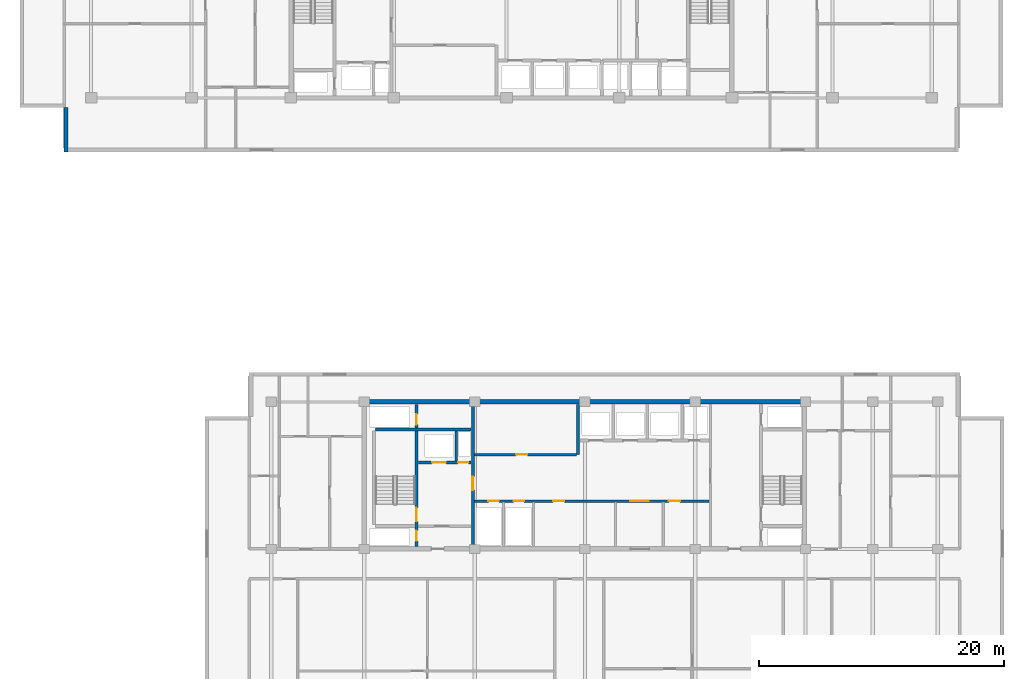
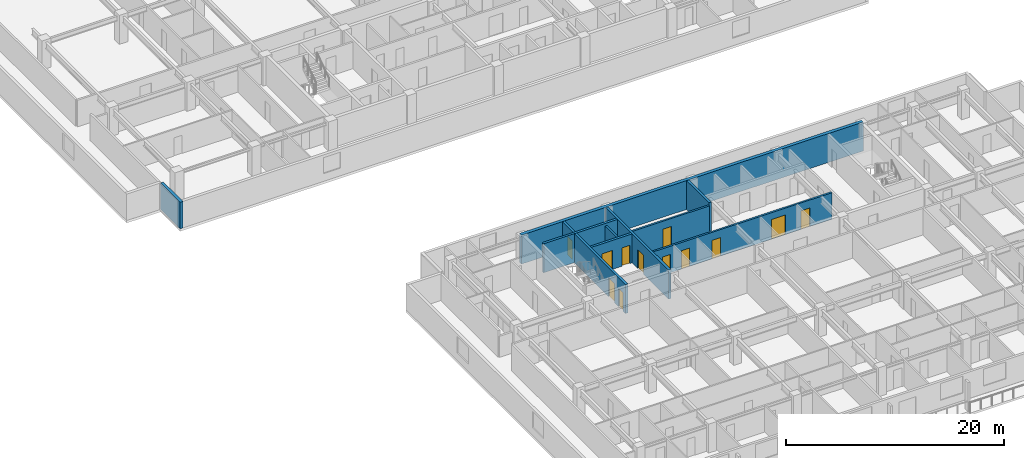
# One storey, part 7 of 22: 12 doors, 10 walls, 12 openings.
"""IFC4 building model written with IfcOpenShell, lengths in metres."""

import ifcopenshell
import ifcopenshell.guid

model = None  # the IFC model being written
_history = None  # IfcOwnerHistory: only IFC2X3 demands one
_inside = {}  # id of a spatial element -> (the spatial element, [elements in it])
_under = {}  # id of a project, library or spatial element -> (it, [spatial elements below it])
_declared = {}  # id of a project -> (the project, [libraries it declares])
_typed = {}  # id of a type object -> (the type object, [elements of that type])
_made_of = {}  # id of a material, layer set ... -> (it, [elements and type objects made of it])


def new_model(schema):
    """Start an empty IFC model of exactly this schema.

    Asked for "IFC4X3", IfcOpenShell would pick the latest addendum, in which some entities
    have other attributes; the version numbers below select the first issue.
    IFC2X3 requires an IfcOwnerHistory on every rooted entity: one is made here for all.
    """
    global model, _history
    if schema == "IFC4X3":
        model = ifcopenshell.file(schema_version=(4, 3, 0, 0))
    else:
        model = ifcopenshell.file(schema=schema)
    _inside.clear()
    _under.clear()
    _declared.clear()
    _typed.clear()
    _made_of.clear()
    _history = None
    if model.schema == "IFC2X3":
        org = make("IfcOrganization", Name="unknown")
        user = make(
            "IfcPersonAndOrganization",
            ThePerson=make("IfcPerson", FamilyName="unknown"),
            TheOrganization=org,
        )
        app = make(
            "IfcApplication",
            ApplicationDeveloper=org,
            Version="unknown",
            ApplicationFullName="unknown",
            ApplicationIdentifier="unknown",
        )
        _history = make(
            "IfcOwnerHistory",
            OwningUser=user,
            OwningApplication=app,
            ChangeAction="ADDED",
            CreationDate=0,
        )
    return model


def make(cls, **values):
    """One entity of the class cls with the attributes given. An attribute that is None is left unset."""
    return model.create_entity(
        cls, **{name: value for name, value in values.items() if value is not None}
    )


def rooted(cls, **values):
    """An entity with a GlobalId (a new one), such as an element, a storey or a relation."""
    return make(cls, GlobalId=ifcopenshell.guid.new(), OwnerHistory=_history, **values)


def si_unit(unit_type, name, prefix=None):
    """IfcSIUnit, for example si_unit("LENGTHUNIT", "METRE", prefix="MILLI")."""
    return make("IfcSIUnit", UnitType=unit_type, Prefix=prefix, Name=name)


def assignment(units):
    """IfcUnitAssignment: the units of a project."""
    return None if units is None else make("IfcUnitAssignment", Units=units)


def point(xyz):
    """IfcCartesianPoint."""
    return None if xyz is None else make("IfcCartesianPoint", Coordinates=xyz)


def direction(xyz):
    """IfcDirection."""
    return None if xyz is None else make("IfcDirection", DirectionRatios=xyz)


def frame(location, z_axis=None, x_axis=None):
    """IfcAxis2Placement3D, a coordinate frame: its origin and axes. An axis left out is left unset."""
    return make(
        "IfcAxis2Placement3D",
        Location=point(location),
        Axis=direction(z_axis),
        RefDirection=direction(x_axis),
    )


def frame_2d(location, x_axis=None):
    """IfcAxis2Placement2D, a coordinate frame in the plane: its origin and x axis."""
    return make(
        "IfcAxis2Placement2D", Location=point(location), RefDirection=direction(x_axis)
    )


def origin():
    """The frame at (0, 0, 0) with its axes left unset."""
    return frame((0.0, 0.0, 0.0))


def place(relative_to, where):
    """IfcLocalPlacement: puts the frame where relative to a parent placement (None: the world)."""
    return make(
        "IfcLocalPlacement", PlacementRelTo=relative_to, RelativePlacement=where
    )


def context(
    kind, dimensions, precision=None, world=None, true_north=None, identifier=None
):
    """IfcGeometricRepresentationContext, for example the 3D "Model" context."""
    return make(
        "IfcGeometricRepresentationContext",
        ContextIdentifier=identifier,
        ContextType=kind,
        CoordinateSpaceDimension=dimensions,
        Precision=precision,
        WorldCoordinateSystem=world,
        TrueNorth=true_north,
    )


def subcontext(parent, identifier, kind, view, scale=None):
    """IfcGeometricRepresentationSubContext, for example "Body" below "Model"."""
    return make(
        "IfcGeometricRepresentationSubContext",
        ContextIdentifier=identifier,
        ContextType=kind,
        ParentContext=parent,
        TargetScale=scale,
        TargetView=view,
    )


def project(units=None, contexts=None):
    """IfcProject with its units and contexts."""
    return rooted(
        "IfcProject",
        Name="project",
        RepresentationContexts=contexts,
        UnitsInContext=assignment(units),
    )


def spatial(cls, under=None, at=None, **own):
    """A site, building, storey or space (cls), placed at a placement, below another one or the project."""
    s = rooted(cls, ObjectPlacement=at, **own)
    if under is not None:
        _under.setdefault(under.id(), (under, []))[1].append(s)
    return s


def profile(cls, at=None, kind="AREA", **sizes):
    """A parametric profile (cls). Its sizes go by their IFC names, for example OverallWidth=200.0."""
    return make(cls, ProfileType=kind, Position=at, **sizes)


def rectangle(**sizes):
    """IfcRectangleProfileDef."""
    return profile("IfcRectangleProfileDef", **sizes)


def extrude(swept, where, along, depth):
    """IfcExtrudedAreaSolid: the profile swept, set in the frame where, extruded along a direction by depth."""
    return make(
        "IfcExtrudedAreaSolid",
        SweptArea=swept,
        Position=where,
        ExtrudedDirection=direction(along),
        Depth=depth,
    )


def shape(context_of_items, identifier, shape_type, items):
    """IfcShapeRepresentation: the items that make up one representation, for example the "Body"."""
    return make(
        "IfcShapeRepresentation",
        ContextOfItems=context_of_items,
        RepresentationIdentifier=identifier,
        RepresentationType=shape_type,
        Items=items,
    )


def material(Name=None, Category=None):
    """IfcMaterial."""
    return make("IfcMaterial", Name=Name, Category=Category)


def layer(
    of_material, thickness, ventilated=None, Name=None, Category=None, Priority=None
):
    """IfcMaterialLayer: one layer of a wall or slab, of a material (None: an air gap)."""
    return make(
        "IfcMaterialLayer",
        Material=of_material,
        LayerThickness=thickness,
        IsVentilated=ventilated,
        Name=Name,
        Category=Category,
        Priority=Priority,
    )


def layer_set(layers, Name=None):
    """IfcMaterialLayerSet."""
    return make("IfcMaterialLayerSet", MaterialLayers=layers, LayerSetName=Name)


def made_of(thing, what):
    """Note that an element or type object is made of a material, layer set ...; save() writes the relation."""
    if what is not None:
        _made_of.setdefault(what.id(), (what, []))[1].append(thing)
    return thing


def type_object(cls, material=None, **own):
    """A type object (cls), such as IfcWallType, which elements share."""
    return made_of(rooted(cls, **own), material)


def element(
    cls,
    number,
    at=None,
    inside=None,
    cuts=None,
    type_object=None,
    material=None,
    context=None,
    identifier="Body",
    shape_type=None,
    held_by="IfcProductDefinitionShape",
    body=None,
    shapes=None,
    **own,
):
    """One element of the class cls, such as IfcWall. Its Tag is "e" and its number.

    at: its placement. inside: the storey or other place that contains it. cuts: it is an
    opening in that element (IfcRelVoidsElement). A single representation is given by context,
    identifier, shape_type and body (its items); several are given by shapes. held_by: the class
    of the entity that holds the representations. save() writes the other relations.
    """
    e = rooted(cls, Tag="e%d" % number, ObjectPlacement=at, **own)
    if body is not None:
        shapes = [shape(context, identifier, shape_type, body)]
    if shapes is not None:
        e.Representation = make(held_by, Representations=shapes)
    if inside is not None:
        _inside.setdefault(inside.id(), (inside, []))[1].append(e)
    if cuts is not None:
        rooted(
            "IfcRelVoidsElement", RelatingBuildingElement=cuts, RelatedOpeningElement=e
        )
    if type_object is not None:
        _typed.setdefault(type_object.id(), (type_object, []))[1].append(e)
    return made_of(e, material)


def fill(opening, filler):
    """IfcRelFillsElement: the door or window that sits in an opening."""
    return rooted(
        "IfcRelFillsElement",
        RelatingOpeningElement=opening,
        RelatedBuildingElement=filler,
    )


def aggregate(whole, parts):
    """IfcRelAggregates: a whole, such as a stair, and the parts it consists of."""
    return rooted("IfcRelAggregates", RelatingObject=whole, RelatedObjects=parts)


def save(model, path):
    """Write the relations noted so far, then the file.

    IfcRelAggregates (storeys below a building ...), IfcRelContainedInSpatialStructure (elements
    in a storey), IfcRelDefinesByType, IfcRelAssociatesMaterial and IfcRelDeclares: one each for
    every whole, place, type object, material and project.
    """
    for whole, parts in _under.values():
        aggregate(whole, parts)
    for where, things in _inside.values():
        rooted(
            "IfcRelContainedInSpatialStructure",
            RelatedElements=things,
            RelatingStructure=where,
        )
    for kind, things in _typed.values():
        rooted("IfcRelDefinesByType", RelatedObjects=things, RelatingType=kind)
    for what, things in _made_of.values():
        rooted("IfcRelAssociatesMaterial", RelatedObjects=things, RelatingMaterial=what)
    for by, libraries in _declared.values():
        rooted("IfcRelDeclares", RelatingContext=by, RelatedDefinitions=libraries)
    model.write(path)


model = new_model("IFC4")

# Units and contexts
model_context = context("Model", 3, precision=1e-05, world=origin(), true_north=direction((0.0, 1.0)))
body_context = subcontext(model_context, "Body", "Model", "MODEL_VIEW")
ifc_project = project(units=[si_unit("LENGTHUNIT", "METRE"), si_unit("AREAUNIT", "SQUARE_METRE"), si_unit("VOLUMEUNIT", "CUBIC_METRE"), si_unit("PLANEANGLEUNIT", "RADIAN"), si_unit("MASSUNIT", "GRAM", prefix="KILO")], contexts=[model_context])

# Site, building, storey
site_placement = place(None, origin())
site = spatial("IfcSite", under=ifc_project, at=site_placement, CompositionType="ELEMENT")
building_placement = place(site_placement, origin())
building = spatial("IfcBuilding", under=site, at=building_placement, Name="Korimba Cascade Residences", CompositionType="ELEMENT")
storey_placement = place(building_placement, frame((0.0, 0.0, 132.800048828125)))
storey = spatial("IfcBuildingStorey", under=building, at=storey_placement, Name="L38", CompositionType="ELEMENT", Elevation=132.800048828125)

# Walls
ifc_material_1 = material(Name="Precast concrete C40/50", Category="concrete")
ifc_layer_1 = layer(ifc_material_1, 0.300048828125)
ifc_layer_set_1 = layer_set([ifc_layer_1], Name="Precast concrete C40/50")
wall_type_1 = type_object("IfcWallType", Name="EW-STONE-300", PredefinedType="STANDARD", material=ifc_layer_set_1)
wall_1_placement = place(storey_placement, frame((57.75, 54.39990234375, 0.0), z_axis=(0.0, 0.0, 1.0), x_axis=(0.0, -1.0, 0.0)))
element("IfcWall", 1, at=wall_1_placement, inside=storey, type_object=wall_type_1, Name="L38 T1 Perimeter Stone Wall E11", PredefinedType="STANDARD", context=body_context, shape_type="SweptSolid", body=[
    extrude(rectangle(XDim=3.599853515625, YDim=0.300048828125, at=frame_2d((1.7998046875, 0.0))), origin(), (0.0, 0.0, 1.0), 2.969970703125),
])
ifc_material_2 = material(Name="Concrete C65/80", Category="concrete")
ifc_layer_2 = layer(ifc_material_2, 0.35009765625)
ifc_layer_set_2 = layer_set([ifc_layer_2], Name="Concrete C65/80")
wall_type_2 = type_object("IfcWallType", Name="WAL-CORE-350", PredefinedType="SHEAR", material=ifc_layer_set_2)
wall_2_placement = place(storey_placement, frame((81.925048828125, 30.39990234375, 0.0), z_axis=(0.0, 0.0, 1.0), x_axis=(1.0, 0.0, 0.0)))
element("IfcWall", 2, at=wall_2_placement, inside=storey, type_object=wall_type_2, Name="L38 Core Shear Wall CW-L38-T2-N", PredefinedType="SHEAR", context=body_context, shape_type="SweptSolid", body=[
    extrude(rectangle(XDim=36.264892578125, YDim=0.35009765625, at=frame_2d((18.13232421875, 0.0))), origin(), (0.0, 0.0, 1.0), 3.25),
])
ifc_material_3 = material(Name="Concrete C40/50", Category="concrete")
ifc_layer_3 = layer(ifc_material_3, 0.199951171875)
ifc_layer_set_3 = layer_set([ifc_layer_3], Name="Concrete C40/50")
wall_type_3 = type_object("IfcWallType", Name="WAL-PART-200", PredefinedType="PARTITIONING", material=ifc_layer_set_3)
wall_3_placement = place(storey_placement, frame((89.60009765625, 25.580078125, 0.0), z_axis=(0.0, 0.0, 1.0), x_axis=(0.0, 1.0, 0.0)))
element("IfcWall", 3, at=wall_3_placement, inside=storey, type_object=wall_type_3, Name="L38 Partition Wall CW-L38-T2-FFLDIV", PredefinedType="PARTITIONING", context=body_context, shape_type="SweptSolid", body=[
    extrude(rectangle(XDim=2.419921875, YDim=0.199951171875, at=frame_2d((1.2099609375, 0.0))), origin(), (0.0, 0.0, 1.0), 2.969970703125),
])

# Wall, opening, door
wall_4_placement = place(storey_placement, frame((91.080078125, 26.10009765625, 0.0), z_axis=(0.0, 0.0, 1.0), x_axis=(1.0, 0.0, 0.0)))
wall_4 = element("IfcWall", 4, at=wall_4_placement, inside=storey, type_object=wall_type_3, Name="L38 Partition Wall CW-L38-T2-B1RS", PredefinedType="PARTITIONING", context=body_context, shape_type="SweptSolid", body=[
    extrude(rectangle(XDim=8.33984375, YDim=0.199951171875, at=frame_2d((4.169921875, 0.0))), origin(), (0.0, 0.0, 1.0), 2.969970703125),
])
opening_1_placement = place(wall_4_placement, frame((3.39990234375, 0.0, 0.0)))
opening_1 = element("IfcOpeningElement", 5, at=opening_1_placement, cuts=wall_4, Name="Opening D-ST1", PredefinedType="OPENING", context=body_context, shape_type="SweptSolid", body=[
    extrude(rectangle(XDim=0.919921875, YDim=2.080078125, at=frame_2d((0.4599609375, 1.0400390625))), frame((0.0, 0.10986328125, 0.0), z_axis=(0.0, -1.0, 0.0), x_axis=(1.0, 0.0, 0.0)), (0.0, 0.0, 1.0), 0.219970703125),
])
ifc_material_4 = material(Name="Fire-Rated Core Store Door", Category="wood")
door_type_1 = type_object("IfcDoorType", Name="DR-FD60-920", OperationType="NOTDEFINED", PredefinedType="DOOR", material=ifc_material_4)
door_1_placement = place(opening_1_placement, origin())
door_1 = element("IfcDoor", 6, at=door_1_placement, inside=storey, type_object=door_type_1, Name="L38 T2 Resident Storage Door", OperationType="SINGLE_SWING_RIGHT", OverallHeight=2.080078125, OverallWidth=0.919921875, PredefinedType="DOOR", context=body_context, shape_type="SweptSolid", body=[
    extrude(rectangle(XDim=0.919921875, YDim=2.080078125, at=frame_2d((0.4599609375, 1.0400390625))), frame((0.0, 0.02490234375, 0.0), z_axis=(0.0, -1.0, 0.0), x_axis=(1.0, 0.0, 0.0)), (0.0, 0.0, 1.0), 0.050048828125),
])
fill(opening_1, door_1)

# Wall, openings, doors
wall_5_placement = place(storey_placement, frame((91.080078125, 22.300048828125, 0.0), z_axis=(0.0, 0.0, 1.0), x_axis=(1.0, 0.0, 0.0)))
wall_5 = element("IfcWall", 7, at=wall_5_placement, inside=storey, type_object=wall_type_3, Name="L38 Partition Wall CW-L38-T2-SRVROW", PredefinedType="PARTITIONING", context=body_context, shape_type="SweptSolid", body=[
    extrude(rectangle(XDim=19.139892578125, YDim=0.199951171875, at=frame_2d((9.56982421875, 0.0))), origin(), (0.0, 0.0, 1.0), 2.969970703125),
])
opening_2_placement = place(wall_5_placement, frame((1.14990234375, 0.0, 0.0)))
opening_2 = element("IfcOpeningElement", 8, at=opening_2_placement, cuts=wall_5, Name="Opening D-RS1", PredefinedType="OPENING", context=body_context, shape_type="SweptSolid", body=[
    extrude(rectangle(XDim=0.85009765625, YDim=2.050048828125, at=frame_2d((0.425048828125, 1.02490234375))), frame((0.0, 0.10986328125, 0.0), z_axis=(0.0, -1.0, 0.0), x_axis=(1.0, 0.0, 0.0)), (0.0, 0.0, 1.0), 0.219970703125),
])
opening_3_placement = place(wall_5_placement, frame((3.199951171875, 0.0, 0.0)))
opening_3 = element("IfcOpeningElement", 9, at=opening_3_placement, cuts=wall_5, Name="Opening D-RS1", PredefinedType="OPENING", context=body_context, shape_type="SweptSolid", body=[
    extrude(rectangle(XDim=0.85009765625, YDim=2.050048828125, at=frame_2d((0.425048828125, 1.02490234375))), frame((0.0, 0.10986328125, 0.0), z_axis=(0.0, -1.0, 0.0), x_axis=(1.0, 0.0, 0.0)), (0.0, 0.0, 1.0), 0.219970703125),
])
opening_4_placement = place(wall_5_placement, frame((12.719970703125, 0.0, 0.0)))
opening_4 = element("IfcOpeningElement", 10, at=opening_4_placement, cuts=wall_5, Name="Opening D-FD8", PredefinedType="OPENING", context=body_context, shape_type="SweptSolid", body=[
    extrude(rectangle(XDim=1.5, YDim=2.199951171875, at=frame_2d((0.75, 1.10009765625))), frame((0.0, 0.10986328125, 0.0), z_axis=(0.0, -1.0, 0.0), x_axis=(1.0, 0.0, 0.0)), (0.0, 0.0, 1.0), 0.219970703125),
])
opening_5_placement = place(wall_5_placement, frame((6.419921875, 0.0, 0.0)))
opening_5 = element("IfcOpeningElement", 11, at=opening_5_placement, cuts=wall_5, Name="Opening D-IN1", PredefinedType="OPENING", context=body_context, shape_type="SweptSolid", body=[
    extrude(rectangle(XDim=0.919921875, YDim=2.080078125, at=frame_2d((0.4599609375, 1.0400390625))), frame((0.0, 0.10986328125, 0.0), z_axis=(0.0, -1.0, 0.0), x_axis=(1.0, 0.0, 0.0)), (0.0, 0.0, 1.0), 0.219970703125),
])
opening_6_placement = place(wall_5_placement, frame((15.8701171875, 0.0, 0.0)))
opening_6 = element("IfcOpeningElement", 12, at=opening_6_placement, cuts=wall_5, Name="Opening D-IN1", PredefinedType="OPENING", context=body_context, shape_type="SweptSolid", body=[
    extrude(rectangle(XDim=0.919921875, YDim=2.080078125, at=frame_2d((0.4599609375, 1.0400390625))), frame((0.0, 0.10986328125, 0.0), z_axis=(0.0, -1.0, 0.0), x_axis=(1.0, 0.0, 0.0)), (0.0, 0.0, 1.0), 0.219970703125),
])
ifc_material_5 = material(Name="Fire-Rated Steel Riser Access Door", Category="steel")
door_type_2 = type_object("IfcDoorType", Name="DR-FD60-850", OperationType="NOTDEFINED", PredefinedType="DOOR", material=ifc_material_5)
door_2_placement = place(opening_2_placement, origin())
door_2 = element("IfcDoor", 13, at=door_2_placement, inside=storey, type_object=door_type_2, Name="L38 T2 Electrical Riser Door", OperationType="SINGLE_SWING_RIGHT", OverallHeight=2.050048828125, OverallWidth=0.85009765625, PredefinedType="DOOR", context=body_context, shape_type="SweptSolid", body=[
    extrude(rectangle(XDim=0.85009765625, YDim=2.050048828125, at=frame_2d((0.425048828125, 1.02490234375))), frame((0.0, 0.02490234375, 0.0), z_axis=(0.0, -1.0, 0.0), x_axis=(1.0, 0.0, 0.0)), (0.0, 0.0, 1.0), 0.050048828125),
])
fill(opening_2, door_2)
door_3_placement = place(opening_3_placement, origin())
door_3 = element("IfcDoor", 14, at=door_3_placement, inside=storey, type_object=door_type_2, Name="L38 T2 Plumbing Riser Door", OperationType="SINGLE_SWING_LEFT", OverallHeight=2.050048828125, OverallWidth=0.85009765625, PredefinedType="DOOR", context=body_context, shape_type="SweptSolid", body=[
    extrude(rectangle(XDim=0.85009765625, YDim=2.050048828125, at=frame_2d((0.425048828125, 1.02490234375))), frame((0.0, 0.02490234375, 0.0), z_axis=(0.0, -1.0, 0.0), x_axis=(1.0, 0.0, 0.0)), (0.0, 0.0, 1.0), 0.050048828125),
])
fill(opening_3, door_3)
ifc_material_6 = material(Name="Fire-Rated Glazed Lift Lobby Double Door", Category="glass")
door_type_3 = type_object("IfcDoorType", Name="DR-FD90-1500", OperationType="NOTDEFINED", PredefinedType="DOOR", material=ifc_material_6)
door_4_placement = place(opening_4_placement, origin())
door_4 = element("IfcDoor", 15, at=door_4_placement, inside=storey, type_object=door_type_3, Name="L38 T2 Lift Lobby Foyer Door", OperationType="DOUBLE_DOOR_SINGLE_SWING", OverallHeight=2.199951171875, OverallWidth=1.5, PredefinedType="DOOR", context=body_context, shape_type="SweptSolid", body=[
    extrude(rectangle(XDim=1.5, YDim=2.199951171875, at=frame_2d((0.75, 1.10009765625))), frame((0.0, 0.02490234375, 0.0), z_axis=(0.0, -1.0, 0.0), x_axis=(1.0, 0.0, 0.0)), (0.0, 0.0, 1.0), 0.050048828125),
])
fill(opening_4, door_4)
ifc_material_7 = material(Name="Acoustic Timber Living Door", Category="wood")
door_type_4 = type_object("IfcDoorType", Name="DR-INT-920", OperationType="NOTDEFINED", PredefinedType="DOOR", material=ifc_material_7)
door_5_placement = place(opening_5_placement, origin())
door_5 = element("IfcDoor", 16, at=door_5_placement, inside=storey, type_object=door_type_4, Name="L38 T2 Housekeeping Door", OperationType="SINGLE_SWING_RIGHT", OverallHeight=2.080078125, OverallWidth=0.919921875, PredefinedType="DOOR", context=body_context, shape_type="SweptSolid", body=[
    extrude(rectangle(XDim=0.919921875, YDim=2.080078125, at=frame_2d((0.4599609375, 1.0400390625))), frame((0.0, 0.02490234375, 0.0), z_axis=(0.0, -1.0, 0.0), x_axis=(1.0, 0.0, 0.0)), (0.0, 0.0, 1.0), 0.050048828125),
])
fill(opening_5, door_5)
door_6_placement = place(opening_6_placement, origin())
door_6 = element("IfcDoor", 17, at=door_6_placement, inside=storey, type_object=door_type_4, Name="L38 T2 Store Door", OperationType="SINGLE_SWING_LEFT", OverallHeight=2.080078125, OverallWidth=0.919921875, PredefinedType="DOOR", context=body_context, shape_type="SweptSolid", body=[
    extrude(rectangle(XDim=0.919921875, YDim=2.080078125, at=frame_2d((0.4599609375, 1.0400390625))), frame((0.0, 0.02490234375, 0.0), z_axis=(0.0, -1.0, 0.0), x_axis=(1.0, 0.0, 0.0)), (0.0, 0.0, 1.0), 0.050048828125),
])
fill(opening_6, door_6)

ifc_material_8 = material(Name="Concrete C50/60", Category="concrete")
ifc_layer_4 = layer(ifc_material_8, 0.25)
ifc_layer_set_4 = layer_set([ifc_layer_4], Name="Concrete C50/60")
wall_type_4 = type_object("IfcWallType", Name="WAL-SHAFT-250", PredefinedType="SHEAR", material=ifc_layer_set_4)
wall_6_placement = place(storey_placement, frame((86.364990234375, 18.60009765625, 0.0), z_axis=(0.0, 0.0, 1.0), x_axis=(0.0, 1.0, 0.0)))
wall_6 = element("IfcWall", 18, at=wall_6_placement, inside=storey, type_object=wall_type_4, Name="L38 Core Shear Wall CW-L38-T2-STE1E", PredefinedType="SHEAR", context=body_context, shape_type="SweptSolid", body=[
    extrude(rectangle(XDim=11.599853515625, YDim=0.25, at=frame_2d((5.7998046875, 0.0))), origin(), (0.0, 0.0, 1.0), 3.25),
])
opening_7_placement = place(wall_6_placement, frame((0.449951171875, 0.0, 0.0)))
opening_7 = element("IfcOpeningElement", 19, at=opening_7_placement, cuts=wall_6, Name="Opening D-RS1", PredefinedType="OPENING", context=body_context, shape_type="SweptSolid", body=[
    extrude(rectangle(XDim=0.85009765625, YDim=2.050048828125, at=frame_2d((0.425048828125, 1.02490234375))), frame((0.0, 0.135009765625, 0.0), z_axis=(0.0, -1.0, 0.0), x_axis=(1.0, 0.0, 0.0)), (0.0, 0.0, 1.0), 0.27001953125),
])
opening_8_placement = place(wall_6_placement, frame((2.050048828125, 0.0, 0.0)))
opening_8 = element("IfcOpeningElement", 20, at=opening_8_placement, cuts=wall_6, Name="Opening D-FD1", PredefinedType="OPENING", context=body_context, shape_type="SweptSolid", body=[
    extrude(rectangle(XDim=1.10009765625, YDim=2.10009765625, at=frame_2d((0.550048828125, 1.050048828125))), frame((0.0, 0.135009765625, 0.0), z_axis=(0.0, -1.0, 0.0), x_axis=(1.0, 0.0, 0.0)), (0.0, 0.0, 1.0), 0.27001953125),
])
opening_9_placement = place(wall_6_placement, frame((9.949951171875, 0.0, 0.0)))
opening_9 = element("IfcOpeningElement", 21, at=opening_9_placement, cuts=wall_6, Name="Opening D-RS1", PredefinedType="OPENING", context=body_context, shape_type="SweptSolid", body=[
    extrude(rectangle(XDim=0.85009765625, YDim=2.050048828125, at=frame_2d((0.425048828125, 1.02490234375))), frame((0.0, 0.135009765625, 0.0), z_axis=(0.0, -1.0, 0.0), x_axis=(1.0, 0.0, 0.0)), (0.0, 0.0, 1.0), 0.27001953125),
])
ifc_material_9 = material(Name="Fire-Rated Steel Core Door", Category="steel")
door_type_5 = type_object("IfcDoorType", Name="DR-FD120-1100", OperationType="NOTDEFINED", PredefinedType="DOOR", material=ifc_material_9)
door_7_placement = place(opening_8_placement, origin())
door_7 = element("IfcDoor", 22, at=door_7_placement, inside=storey, type_object=door_type_5, Name="L38 Fire Stair ST-E1 Door", OperationType="SINGLE_SWING_LEFT", OverallHeight=2.10009765625, OverallWidth=1.10009765625, PredefinedType="DOOR", context=body_context, shape_type="SweptSolid", body=[
    extrude(rectangle(XDim=1.10009765625, YDim=2.10009765625, at=frame_2d((0.550048828125, 1.050048828125))), frame((0.0, 0.02490234375, 0.0), z_axis=(0.0, -1.0, 0.0), x_axis=(1.0, 0.0, 0.0)), (0.0, 0.0, 1.0), 0.050048828125),
])
fill(opening_8, door_7)
door_8_placement = place(opening_7_placement, origin())
door_8 = element("IfcDoor", 23, at=door_8_placement, inside=storey, type_object=door_type_2, Name="L38 T2 Hydrant Riser Door", OperationType="SINGLE_SWING_RIGHT", OverallHeight=2.050048828125, OverallWidth=0.85009765625, PredefinedType="DOOR", context=body_context, shape_type="SweptSolid", body=[
    extrude(rectangle(XDim=0.85009765625, YDim=2.050048828125, at=frame_2d((0.425048828125, 1.02490234375))), frame((0.0, 0.02490234375, 0.0), z_axis=(0.0, -1.0, 0.0), x_axis=(1.0, 0.0, 0.0)), (0.0, 0.0, 1.0), 0.050048828125),
])
fill(opening_7, door_8)
door_9_placement = place(opening_9_placement, origin())
door_9 = element("IfcDoor", 24, at=door_9_placement, inside=storey, type_object=door_type_2, Name="L38 T2 Smoke Shaft Door", OperationType="SINGLE_SWING_RIGHT", OverallHeight=2.050048828125, OverallWidth=0.85009765625, PredefinedType="DOOR", context=body_context, shape_type="SweptSolid", body=[
    extrude(rectangle(XDim=0.85009765625, YDim=2.050048828125, at=frame_2d((0.425048828125, 1.02490234375))), frame((0.0, 0.02490234375, 0.0), z_axis=(0.0, -1.0, 0.0), x_axis=(1.0, 0.0, 0.0)), (0.0, 0.0, 1.0), 0.050048828125),
])
fill(opening_9, door_9)

# Wall
wall_7_placement = place(storey_placement, frame((83.0, 28.125, 0.0), z_axis=(0.0, 0.0, 1.0), x_axis=(1.0, 0.0, 0.0)))
element("IfcWall", 25, at=wall_7_placement, inside=storey, type_object=wall_type_4, Name="L38 Core Shear Wall CW-L38-T2-STE1N", PredefinedType="SHEAR", context=body_context, shape_type="SweptSolid", body=[
    extrude(rectangle(XDim=7.820068359375, YDim=0.25, at=frame_2d((3.91015625, 0.0))), origin(), (0.0, 0.0, 1.0), 3.25),
])

# Wall, openings, doors
wall_8_placement = place(storey_placement, frame((86.5, 25.449951171875, 0.0), z_axis=(0.0, 0.0, 1.0), x_axis=(1.0, 0.0, 0.0)))
wall_8 = element("IfcWall", 26, at=wall_8_placement, inside=storey, type_object=wall_type_4, Name="L38 Core Shear Wall CW-L38-T2-FFLN", PredefinedType="SHEAR", context=body_context, shape_type="SweptSolid", body=[
    extrude(rectangle(XDim=4.320068359375, YDim=0.25, at=frame_2d((2.16015625, 0.0))), origin(), (0.0, 0.0, 1.0), 3.25),
])
opening_10_placement = place(wall_8_placement, frame((1.139892578125, 0.0, 0.0)))
opening_10 = element("IfcOpeningElement", 27, at=opening_10_placement, cuts=wall_8, Name="Opening LD-01", PredefinedType="OPENING", context=body_context, shape_type="SweptSolid", body=[
    extrude(rectangle(XDim=1.1201171875, YDim=2.1201171875, at=frame_2d((0.56005859375, 1.06005859375))), frame((0.0, 0.135009765625, 0.0), z_axis=(0.0, -1.0, 0.0), x_axis=(1.0, 0.0, 0.0)), (0.0, 0.0, 1.0), 0.27001953125),
])
opening_11_placement = place(wall_8_placement, frame((3.25, 0.0, 0.0)))
opening_11 = element("IfcOpeningElement", 28, at=opening_11_placement, cuts=wall_8, Name="Opening D-RS1", PredefinedType="OPENING", context=body_context, shape_type="SweptSolid", body=[
    extrude(rectangle(XDim=0.85009765625, YDim=2.050048828125, at=frame_2d((0.425048828125, 1.02490234375))), frame((0.0, 0.135009765625, 0.0), z_axis=(0.0, -1.0, 0.0), x_axis=(1.0, 0.0, 0.0)), (0.0, 0.0, 1.0), 0.27001953125),
])
door_10_placement = place(opening_11_placement, origin())
door_10 = element("IfcDoor", 29, at=door_10_placement, inside=storey, type_object=door_type_2, Name="L38 T2 Pressurisation Riser Door", OperationType="SINGLE_SWING_LEFT", OverallHeight=2.050048828125, OverallWidth=0.85009765625, PredefinedType="DOOR", context=body_context, shape_type="SweptSolid", body=[
    extrude(rectangle(XDim=0.85009765625, YDim=2.050048828125, at=frame_2d((0.425048828125, 1.02490234375))), frame((0.0, 0.02490234375, 0.0), z_axis=(0.0, -1.0, 0.0), x_axis=(1.0, 0.0, 0.0)), (0.0, 0.0, 1.0), 0.050048828125),
])
fill(opening_11, door_10)
ifc_material_10 = material(Name="Stainless Steel Lift Landing Sliding Door", Category="steel")
door_type_6 = type_object("IfcDoorType", Name="DR-LIFT-1100", OperationType="NOTDEFINED", PredefinedType="DOOR", material=ifc_material_10)
door_11_placement = place(opening_10_placement, origin())
door_11 = element("IfcDoor", 30, at=door_11_placement, inside=storey, type_object=door_type_6, Name="L38 Firefighting Lift Landing Door FFL-E1", OperationType="SLIDING_TO_RIGHT", OverallHeight=2.1201171875, OverallWidth=1.1201171875, PredefinedType="DOOR", context=body_context, shape_type="SweptSolid", body=[
    extrude(rectangle(XDim=1.1201171875, YDim=2.1201171875, at=frame_2d((0.56005859375, 1.06005859375))), frame((0.0, 0.02490234375, 0.0), z_axis=(0.0, -1.0, 0.0), x_axis=(1.0, 0.0, 0.0)), (0.0, 0.0, 1.0), 0.050048828125),
])
fill(opening_10, door_11)

# Wall, opening, door
wall_9_placement = place(storey_placement, frame((90.949951171875, 18.60009765625, 0.0), z_axis=(0.0, 0.0, 1.0), x_axis=(0.0, 1.0, 0.0)))
wall_9 = element("IfcWall", 31, at=wall_9_placement, inside=storey, type_object=wall_type_4, Name="L38 Core Shear Wall CW-L38-T2-FFLE", PredefinedType="SHEAR", context=body_context, shape_type="SweptSolid", body=[
    extrude(rectangle(XDim=11.599853515625, YDim=0.25, at=frame_2d((5.7998046875, 0.0))), origin(), (0.0, 0.0, 1.0), 3.25),
])
opening_12_placement = place(wall_9_placement, frame((4.60009765625, 0.0, 0.0)))
opening_12 = element("IfcOpeningElement", 32, at=opening_12_placement, cuts=wall_9, Name="Opening D-FD1", PredefinedType="OPENING", context=body_context, shape_type="SweptSolid", body=[
    extrude(rectangle(XDim=1.10009765625, YDim=2.10009765625, at=frame_2d((0.550048828125, 1.050048828125))), frame((0.0, 0.135009765625, 0.0), z_axis=(0.0, -1.0, 0.0), x_axis=(1.0, 0.0, 0.0)), (0.0, 0.0, 1.0), 0.27001953125),
])
door_12_placement = place(opening_12_placement, origin())
door_12 = element("IfcDoor", 33, at=door_12_placement, inside=storey, type_object=door_type_5, Name="L38 T2 Firefighting Lobby to Lift Lobby Door", OperationType="SINGLE_SWING_LEFT", OverallHeight=2.10009765625, OverallWidth=1.10009765625, PredefinedType="DOOR", context=body_context, shape_type="SweptSolid", body=[
    extrude(rectangle(XDim=1.10009765625, YDim=2.10009765625, at=frame_2d((0.550048828125, 1.050048828125))), frame((0.0, 0.02490234375, 0.0), z_axis=(0.0, -1.0, 0.0), x_axis=(1.0, 0.0, 0.0)), (0.0, 0.0, 1.0), 0.050048828125),
])
fill(opening_12, door_12)

# Wall
wall_10_placement = place(storey_placement, frame((99.550048828125, 26.10009765625, 0.0), z_axis=(0.0, 0.0, 1.0), x_axis=(0.0, 1.0, 0.0)))
element("IfcWall", 34, at=wall_10_placement, inside=storey, type_object=wall_type_4, Name="L38 Core Shear Wall CW-L38-T2-B12DIV", PredefinedType="SHEAR", context=body_context, shape_type="SweptSolid", body=[
    extrude(rectangle(XDim=4.099853515625, YDim=0.25, at=frame_2d((2.0498046875, 0.0))), origin(), (0.0, 0.0, 1.0), 3.25),
])

save(model, "model.ifc")
